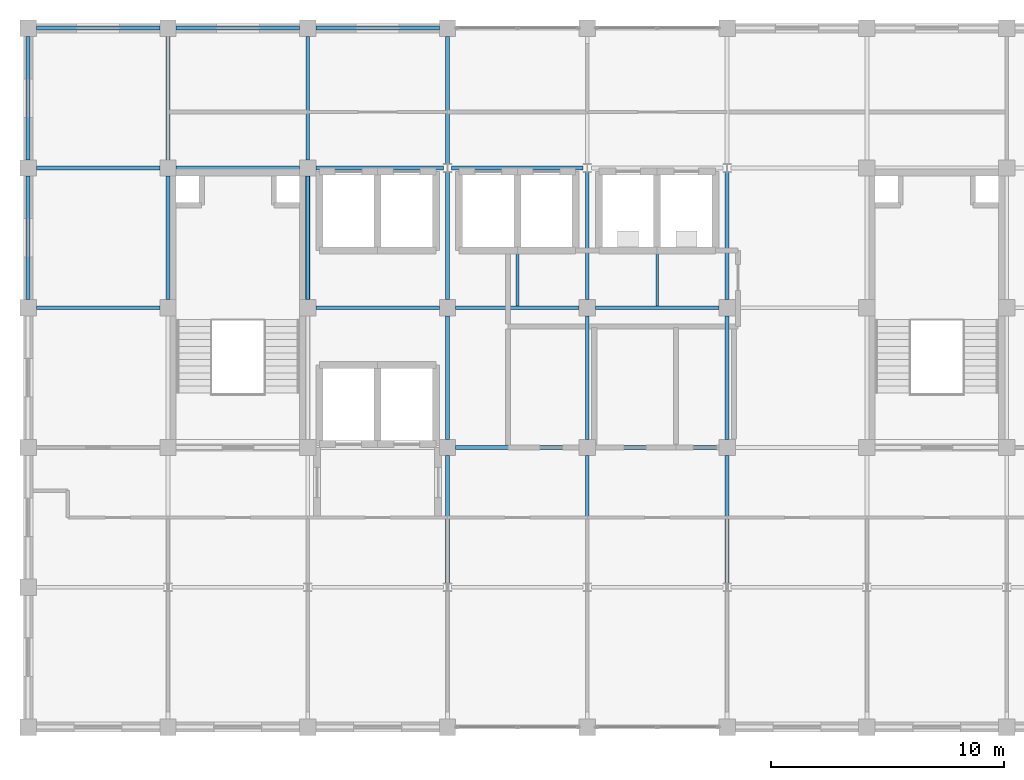
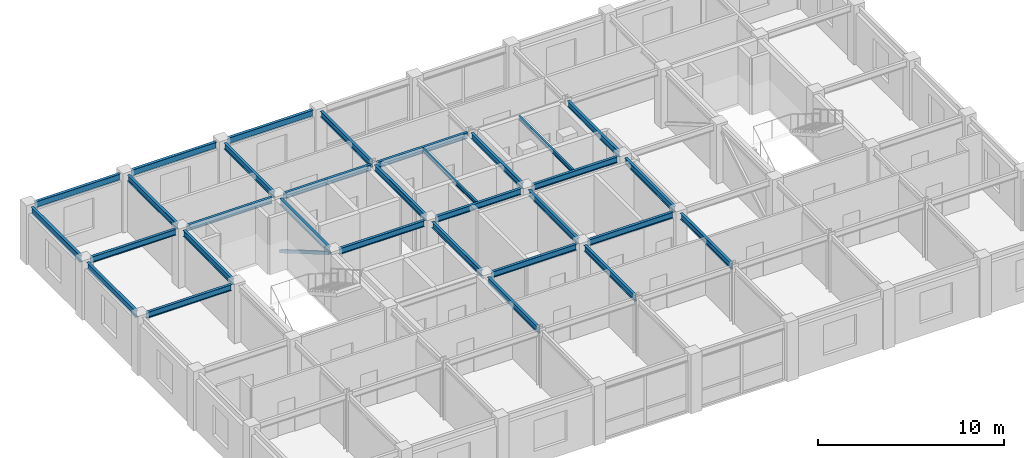
# One storey, part 5 of 12: 31 beams, 1 member.
"""IFC4 building model written with IfcOpenShell, lengths in metres."""

import ifcopenshell
import ifcopenshell.guid

model = None  # the IFC model being written
_history = None  # IfcOwnerHistory: only IFC2X3 demands one
_inside = {}  # id of a spatial element -> (the spatial element, [elements in it])
_under = {}  # id of a project, library or spatial element -> (it, [spatial elements below it])
_declared = {}  # id of a project -> (the project, [libraries it declares])
_typed = {}  # id of a type object -> (the type object, [elements of that type])
_made_of = {}  # id of a material, layer set ... -> (it, [elements and type objects made of it])


def new_model(schema):
    """Start an empty IFC model of exactly this schema.

    Asked for "IFC4X3", IfcOpenShell would pick the latest addendum, in which some entities
    have other attributes; the version numbers below select the first issue.
    IFC2X3 requires an IfcOwnerHistory on every rooted entity: one is made here for all.
    """
    global model, _history
    if schema == "IFC4X3":
        model = ifcopenshell.file(schema_version=(4, 3, 0, 0))
    else:
        model = ifcopenshell.file(schema=schema)
    _inside.clear()
    _under.clear()
    _declared.clear()
    _typed.clear()
    _made_of.clear()
    _history = None
    if model.schema == "IFC2X3":
        org = make("IfcOrganization", Name="unknown")
        user = make(
            "IfcPersonAndOrganization",
            ThePerson=make("IfcPerson", FamilyName="unknown"),
            TheOrganization=org,
        )
        app = make(
            "IfcApplication",
            ApplicationDeveloper=org,
            Version="unknown",
            ApplicationFullName="unknown",
            ApplicationIdentifier="unknown",
        )
        _history = make(
            "IfcOwnerHistory",
            OwningUser=user,
            OwningApplication=app,
            ChangeAction="ADDED",
            CreationDate=0,
        )
    return model


def make(cls, **values):
    """One entity of the class cls with the attributes given. An attribute that is None is left unset."""
    return model.create_entity(
        cls, **{name: value for name, value in values.items() if value is not None}
    )


def rooted(cls, **values):
    """An entity with a GlobalId (a new one), such as an element, a storey or a relation."""
    return make(cls, GlobalId=ifcopenshell.guid.new(), OwnerHistory=_history, **values)


def si_unit(unit_type, name, prefix=None):
    """IfcSIUnit, for example si_unit("LENGTHUNIT", "METRE", prefix="MILLI")."""
    return make("IfcSIUnit", UnitType=unit_type, Prefix=prefix, Name=name)


def assignment(units):
    """IfcUnitAssignment: the units of a project."""
    return None if units is None else make("IfcUnitAssignment", Units=units)


def point(xyz):
    """IfcCartesianPoint."""
    return None if xyz is None else make("IfcCartesianPoint", Coordinates=xyz)


def direction(xyz):
    """IfcDirection."""
    return None if xyz is None else make("IfcDirection", DirectionRatios=xyz)


def frame(location, z_axis=None, x_axis=None):
    """IfcAxis2Placement3D, a coordinate frame: its origin and axes. An axis left out is left unset."""
    return make(
        "IfcAxis2Placement3D",
        Location=point(location),
        Axis=direction(z_axis),
        RefDirection=direction(x_axis),
    )


def frame_2d(location, x_axis=None):
    """IfcAxis2Placement2D, a coordinate frame in the plane: its origin and x axis."""
    return make(
        "IfcAxis2Placement2D", Location=point(location), RefDirection=direction(x_axis)
    )


def origin():
    """The frame at (0, 0, 0) with its axes left unset."""
    return frame((0.0, 0.0, 0.0))


def origin_2d():
    """The frame at (0, 0) in the plane with its x axis left unset."""
    return frame_2d((0.0, 0.0))


def place(relative_to, where):
    """IfcLocalPlacement: puts the frame where relative to a parent placement (None: the world)."""
    return make(
        "IfcLocalPlacement", PlacementRelTo=relative_to, RelativePlacement=where
    )


def context(
    kind, dimensions, precision=None, world=None, true_north=None, identifier=None
):
    """IfcGeometricRepresentationContext, for example the 3D "Model" context."""
    return make(
        "IfcGeometricRepresentationContext",
        ContextIdentifier=identifier,
        ContextType=kind,
        CoordinateSpaceDimension=dimensions,
        Precision=precision,
        WorldCoordinateSystem=world,
        TrueNorth=true_north,
    )


def subcontext(parent, identifier, kind, view, scale=None):
    """IfcGeometricRepresentationSubContext, for example "Body" below "Model"."""
    return make(
        "IfcGeometricRepresentationSubContext",
        ContextIdentifier=identifier,
        ContextType=kind,
        ParentContext=parent,
        TargetScale=scale,
        TargetView=view,
    )


def project(units=None, contexts=None):
    """IfcProject with its units and contexts."""
    return rooted(
        "IfcProject",
        Name="project",
        RepresentationContexts=contexts,
        UnitsInContext=assignment(units),
    )


def spatial(cls, under=None, at=None, **own):
    """A site, building, storey or space (cls), placed at a placement, below another one or the project."""
    s = rooted(cls, ObjectPlacement=at, **own)
    if under is not None:
        _under.setdefault(under.id(), (under, []))[1].append(s)
    return s


def profile(cls, at=None, kind="AREA", **sizes):
    """A parametric profile (cls). Its sizes go by their IFC names, for example OverallWidth=200.0."""
    return make(cls, ProfileType=kind, Position=at, **sizes)


def hollow_rectangle(**sizes):
    """IfcRectangleHollowProfileDef."""
    return profile("IfcRectangleHollowProfileDef", **sizes)


def i_section(**sizes):
    """IfcIShapeProfileDef."""
    return profile("IfcIShapeProfileDef", **sizes)


def extrude(swept, where, along, depth):
    """IfcExtrudedAreaSolid: the profile swept, set in the frame where, extruded along a direction by depth."""
    return make(
        "IfcExtrudedAreaSolid",
        SweptArea=swept,
        Position=where,
        ExtrudedDirection=direction(along),
        Depth=depth,
    )


def shape(context_of_items, identifier, shape_type, items):
    """IfcShapeRepresentation: the items that make up one representation, for example the "Body"."""
    return make(
        "IfcShapeRepresentation",
        ContextOfItems=context_of_items,
        RepresentationIdentifier=identifier,
        RepresentationType=shape_type,
        Items=items,
    )


def material(Name=None, Category=None):
    """IfcMaterial."""
    return make("IfcMaterial", Name=Name, Category=Category)


def material_profile(
    of_material, cross_section, Name=None, Category=None, Priority=None
):
    """IfcMaterialProfile: a cross section and its material."""
    return make(
        "IfcMaterialProfile",
        Name=Name,
        Material=of_material,
        Profile=cross_section,
        Priority=Priority,
        Category=Category,
    )


def profile_set(profiles, Name=None, composite=None):
    """IfcMaterialProfileSet."""
    return make(
        "IfcMaterialProfileSet",
        Name=Name,
        MaterialProfiles=profiles,
        CompositeProfile=composite,
    )


def made_of(thing, what):
    """Note that an element or type object is made of a material, layer set ...; save() writes the relation."""
    if what is not None:
        _made_of.setdefault(what.id(), (what, []))[1].append(thing)
    return thing


def type_object(cls, material=None, **own):
    """A type object (cls), such as IfcWallType, which elements share."""
    return made_of(rooted(cls, **own), material)


def element(
    cls,
    number,
    at=None,
    inside=None,
    cuts=None,
    type_object=None,
    material=None,
    context=None,
    identifier="Body",
    shape_type=None,
    held_by="IfcProductDefinitionShape",
    body=None,
    shapes=None,
    **own,
):
    """One element of the class cls, such as IfcWall. Its Tag is "e" and its number.

    at: its placement. inside: the storey or other place that contains it. cuts: it is an
    opening in that element (IfcRelVoidsElement). A single representation is given by context,
    identifier, shape_type and body (its items); several are given by shapes. held_by: the class
    of the entity that holds the representations. save() writes the other relations.
    """
    e = rooted(cls, Tag="e%d" % number, ObjectPlacement=at, **own)
    if body is not None:
        shapes = [shape(context, identifier, shape_type, body)]
    if shapes is not None:
        e.Representation = make(held_by, Representations=shapes)
    if inside is not None:
        _inside.setdefault(inside.id(), (inside, []))[1].append(e)
    if cuts is not None:
        rooted(
            "IfcRelVoidsElement", RelatingBuildingElement=cuts, RelatedOpeningElement=e
        )
    if type_object is not None:
        _typed.setdefault(type_object.id(), (type_object, []))[1].append(e)
    return made_of(e, material)


def aggregate(whole, parts):
    """IfcRelAggregates: a whole, such as a stair, and the parts it consists of."""
    return rooted("IfcRelAggregates", RelatingObject=whole, RelatedObjects=parts)


def save(model, path):
    """Write the relations noted so far, then the file.

    IfcRelAggregates (storeys below a building ...), IfcRelContainedInSpatialStructure (elements
    in a storey), IfcRelDefinesByType, IfcRelAssociatesMaterial and IfcRelDeclares: one each for
    every whole, place, type object, material and project.
    """
    for whole, parts in _under.values():
        aggregate(whole, parts)
    for where, things in _inside.values():
        rooted(
            "IfcRelContainedInSpatialStructure",
            RelatedElements=things,
            RelatingStructure=where,
        )
    for kind, things in _typed.values():
        rooted("IfcRelDefinesByType", RelatedObjects=things, RelatingType=kind)
    for what, things in _made_of.values():
        rooted("IfcRelAssociatesMaterial", RelatedObjects=things, RelatingMaterial=what)
    for by, libraries in _declared.values():
        rooted("IfcRelDeclares", RelatingContext=by, RelatedDefinitions=libraries)
    model.write(path)


model = new_model("IFC4")

# Units and contexts
model_context = context("Model", 3, precision=1e-05, world=origin(), true_north=direction((0.0, 1.0)))
body_context = subcontext(model_context, "Body", "Model", "MODEL_VIEW")
ifc_project = project(units=[si_unit("LENGTHUNIT", "METRE"), si_unit("AREAUNIT", "SQUARE_METRE"), si_unit("VOLUMEUNIT", "CUBIC_METRE"), si_unit("PLANEANGLEUNIT", "RADIAN"), si_unit("MASSUNIT", "GRAM", prefix="KILO")], contexts=[model_context])

# Site, building, storey
site_placement = place(None, origin())
site = spatial("IfcSite", under=ifc_project, at=site_placement, CompositionType="ELEMENT")
building_placement = place(site_placement, origin())
building = spatial("IfcBuilding", under=site, at=building_placement, Name="Zlatovratsky Civic Hall", CompositionType="ELEMENT")
storey_placement = place(building_placement, frame((0.0, 0.0, 40.5)))
storey = spatial("IfcBuildingStorey", under=building, at=storey_placement, Name="L10", CompositionType="ELEMENT", Elevation=40.5)

# Beams
ifc_material = material(Name="Steel S355", Category="steel")
ifc_material_profile_1 = material_profile(ifc_material, i_section(OverallWidth=0.169921875, OverallDepth=0.446044921875, WebThickness=0.007568359375, FlangeThickness=0.010986328125, FilletRadius=0.01611328125, at=origin_2d()), Name="45B1")
ifc_profile_set_1 = profile_set([ifc_material_profile_1], Name="Steel S355")
beam_type_1 = type_object("IfcBeamType", Name="Beam_Spandrel_45B1", PredefinedType="SPANDREL", material=ifc_profile_set_1)
for number, where, z_axis, x_axis, name in (
    (1, (60.35009765625, 102.0, 3.51708984375), (1.0, 0.0, 0.0), (0.0, 1.0, 0.0), "BM-4648"),
    (2, (66.35009765625, 102.0, 3.51708984375), (1.0, 0.0, 0.0), (0.0, 1.0, 0.0), "BM-4649"),
    (3, (72.35009765625, 102.0, 3.51708984375), (1.0, 0.0, 0.0), (0.0, 1.0, 0.0), "BM-4650"),
    (4, (60.0, 90.35009765625, 3.51708984375), (0.0, 1.0, 0.0), (-1.0, 0.0, 0.0), "BM-4659"),
    (5, (60.0, 96.35009765625, 3.51708984375), (0.0, 1.0, 0.0), (-1.0, 0.0, 0.0), "BM-4660"),
):
    element("IfcBeam", number, at=place(storey_placement, frame(where, z_axis=z_axis, x_axis=x_axis)), inside=storey, type_object=beam_type_1, Name=name, PredefinedType="SPANDREL", context=body_context, shape_type="SweptSolid", body=[
        extrude(i_section(OverallWidth=0.169921875, OverallDepth=0.446044921875, WebThickness=0.007568359375, FlangeThickness=0.010986328125, FilletRadius=0.01611328125, at=origin_2d()), origin(), (0.0, 0.0, 1.0), 5.2998046875),
    ])
ifc_material_profile_2 = material_profile(ifc_material, i_section(OverallWidth=0.1650390625, OverallDepth=0.39208984375, WebThickness=0.006591796875, FlangeThickness=0.009521484375, FilletRadius=0.014892578125, at=origin_2d()), Name="40B1")
ifc_profile_set_2 = profile_set([ifc_material_profile_2], Name="Steel S355")
beam_type_2 = type_object("IfcBeamType", Name="Beam_Tie_40B1", PredefinedType="BEAM", material=ifc_profile_set_2)
for number, where, z_axis, x_axis, name in (
    (6, (78.35009765625, 84.0, 3.5439453125), (1.0, 0.0, 0.0), (0.0, 1.0, 0.0), "BM-4629"),
    (7, (84.35009765625, 84.0, 3.5439453125), (1.0, 0.0, 0.0), (0.0, 1.0, 0.0), "BM-4630"),
    (8, (60.35009765625, 90.0, 3.5439453125), (1.0, 0.0, 0.0), (0.0, 1.0, 0.0), "BM-4634"),
    (9, (72.35009765625, 90.0, 3.5439453125), (1.0, 0.0, 0.0), (0.0, 1.0, 0.0), "BM-4635"),
    (10, (78.35009765625, 90.0, 3.5439453125), (1.0, 0.0, 0.0), (0.0, 1.0, 0.0), "BM-4636"),
    (11, (84.35009765625, 90.0, 3.5439453125), (1.0, 0.0, 0.0), (0.0, 1.0, 0.0), "BM-4637"),
    (12, (60.35009765625, 96.0, 3.5439453125), (1.0, 0.0, 0.0), (0.0, 1.0, 0.0), "BM-4640"),
    (13, (66.35009765625, 96.0, 3.5439453125), (1.0, 0.0, 0.0), (0.0, 1.0, 0.0), "BM-4641"),
):
    element("IfcBeam", number, at=place(storey_placement, frame(where, z_axis=z_axis, x_axis=x_axis)), inside=storey, type_object=beam_type_2, Name=name, PredefinedType="BEAM", context=body_context, shape_type="SweptSolid", body=[
        extrude(i_section(OverallWidth=0.1650390625, OverallDepth=0.39208984375, WebThickness=0.006591796875, FlangeThickness=0.009521484375, FilletRadius=0.014892578125, at=origin_2d()), origin(), (0.0, 0.0, 1.0), 5.2998046875),
    ])
beam_1_placement = place(storey_placement, frame((72.35009765625, 96.0, 3.5439453125), z_axis=(1.0, 0.0, 0.0), x_axis=(0.0, 1.0, 0.0)))
element("IfcBeam", 14, at=beam_1_placement, inside=storey, type_object=beam_type_2, Name="BM-4642", PredefinedType="BEAM", context=body_context, shape_type="SweptSolid", body=[
    extrude(i_section(OverallWidth=0.1650390625, OverallDepth=0.39208984375, WebThickness=0.006591796875, FlangeThickness=0.009521484375, FilletRadius=0.014892578125, at=origin_2d()), origin(), (0.0, 0.0, 1.0), 5.474853515625),
])
beam_2_placement = place(storey_placement, frame((78.175048828125, 96.0, 3.5439453125), z_axis=(1.0, 0.0, 0.0), x_axis=(0.0, 1.0, 0.0)))
element("IfcBeam", 15, at=beam_2_placement, inside=storey, type_object=beam_type_2, Name="BM-4643", PredefinedType="BEAM", context=body_context, shape_type="SweptSolid", body=[
    extrude(i_section(OverallWidth=0.1650390625, OverallDepth=0.39208984375, WebThickness=0.006591796875, FlangeThickness=0.009521484375, FilletRadius=0.014892578125, at=origin_2d()), origin(), (0.0, 0.0, 1.0), 5.64990234375),
])
for number, where, z_axis, x_axis, name in (
    (16, (66.0, 90.35009765625, 3.5439453125), (0.0, 1.0, 0.0), (-1.0, 0.0, 0.0), "BM-4664"),
    (17, (66.0, 96.35009765625, 3.5439453125), (0.0, 1.0, 0.0), (-1.0, 0.0, 0.0), "BM-4665"),
    (18, (72.0, 90.35009765625, 3.5439453125), (0.0, 1.0, 0.0), (-1.0, 0.0, 0.0), "BM-4669"),
    (19, (72.0, 96.35009765625, 3.5439453125), (0.0, 1.0, 0.0), (-1.0, 0.0, 0.0), "BM-4670"),
):
    element("IfcBeam", number, at=place(storey_placement, frame(where, z_axis=z_axis, x_axis=x_axis)), inside=storey, type_object=beam_type_2, Name=name, PredefinedType="BEAM", context=body_context, shape_type="SweptSolid", body=[
        extrude(i_section(OverallWidth=0.1650390625, OverallDepth=0.39208984375, WebThickness=0.006591796875, FlangeThickness=0.009521484375, FilletRadius=0.014892578125, at=origin_2d()), origin(), (0.0, 0.0, 1.0), 5.2998046875),
    ])
beam_3_placement = place(storey_placement, frame((78.0, 78.175048828125, 3.5439453125), z_axis=(0.0, 1.0, 0.0), x_axis=(-1.0, 0.0, 0.0)))
element("IfcBeam", 20, at=beam_3_placement, inside=storey, type_object=beam_type_2, Name="BM-4672", PredefinedType="BEAM", context=body_context, shape_type="SweptSolid", body=[
    extrude(i_section(OverallWidth=0.1650390625, OverallDepth=0.39208984375, WebThickness=0.006591796875, FlangeThickness=0.009521484375, FilletRadius=0.014892578125, at=origin_2d()), origin(), (0.0, 0.0, 1.0), 5.474853515625),
])
beam_4_placement = place(storey_placement, frame((78.0, 84.35009765625, 3.5439453125), z_axis=(0.0, 1.0, 0.0), x_axis=(-1.0, 0.0, 0.0)))
element("IfcBeam", 21, at=beam_4_placement, inside=storey, type_object=beam_type_2, Name="BM-4673", PredefinedType="BEAM", context=body_context, shape_type="SweptSolid", body=[
    extrude(i_section(OverallWidth=0.1650390625, OverallDepth=0.39208984375, WebThickness=0.006591796875, FlangeThickness=0.009521484375, FilletRadius=0.014892578125, at=origin_2d()), origin(), (0.0, 0.0, 1.0), 5.2998046875),
])
for number, where, z_axis, x_axis, name in (
    (22, (78.0, 90.35009765625, 3.5439453125), (0.0, 1.0, 0.0), (-1.0, 0.0, 0.0), "BM-4674"),
    (23, (78.0, 96.175048828125, 3.5439453125), (0.0, 1.0, 0.0), (-1.0, 0.0, 0.0), "BM-4675"),
    (24, (84.0, 78.175048828125, 3.5439453125), (0.0, 1.0, 0.0), (-1.0, 0.0, 0.0), "BM-4677"),
):
    element("IfcBeam", number, at=place(storey_placement, frame(where, z_axis=z_axis, x_axis=x_axis)), inside=storey, type_object=beam_type_2, Name=name, PredefinedType="BEAM", context=body_context, shape_type="SweptSolid", body=[
        extrude(i_section(OverallWidth=0.1650390625, OverallDepth=0.39208984375, WebThickness=0.006591796875, FlangeThickness=0.009521484375, FilletRadius=0.014892578125, at=origin_2d()), origin(), (0.0, 0.0, 1.0), 5.474853515625),
    ])
beam_5_placement = place(storey_placement, frame((84.0, 84.35009765625, 3.5439453125), z_axis=(0.0, 1.0, 0.0), x_axis=(-1.0, 0.0, 0.0)))
element("IfcBeam", 25, at=beam_5_placement, inside=storey, type_object=beam_type_2, Name="BM-4678", PredefinedType="BEAM", context=body_context, shape_type="SweptSolid", body=[
    extrude(i_section(OverallWidth=0.1650390625, OverallDepth=0.39208984375, WebThickness=0.006591796875, FlangeThickness=0.009521484375, FilletRadius=0.014892578125, at=origin_2d()), origin(), (0.0, 0.0, 1.0), 5.2998046875),
])
for number, where, z_axis, x_axis, name in (
    (26, (84.0, 90.35009765625, 3.5439453125), (0.0, 1.0, 0.0), (-1.0, 0.0, 0.0), "BM-4679"),
    (27, (90.0, 78.175048828125, 3.5439453125), (0.0, 1.0, 0.0), (-1.0, 0.0, 0.0), "BM-4682"),
):
    element("IfcBeam", number, at=place(storey_placement, frame(where, z_axis=z_axis, x_axis=x_axis)), inside=storey, type_object=beam_type_2, Name=name, PredefinedType="BEAM", context=body_context, shape_type="SweptSolid", body=[
        extrude(i_section(OverallWidth=0.1650390625, OverallDepth=0.39208984375, WebThickness=0.006591796875, FlangeThickness=0.009521484375, FilletRadius=0.014892578125, at=origin_2d()), origin(), (0.0, 0.0, 1.0), 5.474853515625),
    ])
beam_6_placement = place(storey_placement, frame((90.0, 84.35009765625, 3.5439453125), z_axis=(0.0, 1.0, 0.0), x_axis=(-1.0, 0.0, 0.0)))
element("IfcBeam", 28, at=beam_6_placement, inside=storey, type_object=beam_type_2, Name="BM-4683", PredefinedType="BEAM", context=body_context, shape_type="SweptSolid", body=[
    extrude(i_section(OverallWidth=0.1650390625, OverallDepth=0.39208984375, WebThickness=0.006591796875, FlangeThickness=0.009521484375, FilletRadius=0.014892578125, at=origin_2d()), origin(), (0.0, 0.0, 1.0), 5.2998046875),
])
beam_7_placement = place(storey_placement, frame((90.0, 90.35009765625, 3.5439453125), z_axis=(0.0, 1.0, 0.0), x_axis=(-1.0, 0.0, 0.0)))
element("IfcBeam", 29, at=beam_7_placement, inside=storey, type_object=beam_type_2, Name="BM-4684", PredefinedType="BEAM", context=body_context, shape_type="SweptSolid", body=[
    extrude(i_section(OverallWidth=0.1650390625, OverallDepth=0.39208984375, WebThickness=0.006591796875, FlangeThickness=0.009521484375, FilletRadius=0.014892578125, at=origin_2d()), origin(), (0.0, 0.0, 1.0), 5.474853515625),
])

# Member
ifc_material_profile_3 = material_profile(ifc_material, hollow_rectangle(XDim=0.179931640625, YDim=0.179931640625, WallThickness=0.008056640625, at=origin_2d()), Name="SHS 180x180x8")
ifc_profile_set_3 = profile_set([ifc_material_profile_3], Name="Steel S355")
member_type = type_object("IfcMemberType", Name="Brace_TowerMid_SHS180", PredefinedType="BRACE", material=ifc_profile_set_3)
member_placement = place(storey_placement, frame((72.0, 90.35009765625, 3.35009765625), z_axis=(0.0, 0.863172562464, -0.504909028845), x_axis=(-1.0, 0.0, 0.0)))
element("IfcMember", 30, at=member_placement, inside=storey, type_object=member_type, Name="MB-0145", PredefinedType="BRACE", context=body_context, shape_type="SweptSolid", body=[
    extrude(hollow_rectangle(XDim=0.179931640625, YDim=0.179931640625, WallThickness=0.008056640625, at=origin_2d()), origin(), (0.0, 0.0, 1.0), 6.139892578125),
])

# Beams
ifc_material_profile_4 = material_profile(ifc_material, i_section(OverallWidth=0.125, OverallDepth=0.25, WebThickness=0.006103515625, FlangeThickness=0.009033203125, FilletRadius=0.011962890625, at=origin_2d()), Name="25B2")
ifc_profile_set_4 = profile_set([ifc_material_profile_4], Name="Steel S355")
beam_type_3 = type_object("IfcBeamType", Name="Joist_Tower_25B2", PredefinedType="JOIST", material=ifc_profile_set_4)
for number, where, z_axis, x_axis, name in (
    (31, (81.0, 90.08251953125, 3.614990234375), (0.0, 1.0, 0.0), (-1.0, 0.0, 0.0), "BM-4701"),
    (32, (87.0, 90.08251953125, 3.614990234375), (0.0, 1.0, 0.0), (-1.0, 0.0, 0.0), "BM-4702"),
):
    element("IfcBeam", number, at=place(storey_placement, frame(where, z_axis=z_axis, x_axis=x_axis)), inside=storey, type_object=beam_type_3, Name=name, PredefinedType="JOIST", context=body_context, shape_type="SweptSolid", body=[
        extrude(i_section(OverallWidth=0.125, OverallDepth=0.25, WebThickness=0.006103515625, FlangeThickness=0.009033203125, FilletRadius=0.011962890625, at=origin_2d()), origin(), (0.0, 0.0, 1.0), 5.8349609375),
    ])

save(model, "model.ifc")
